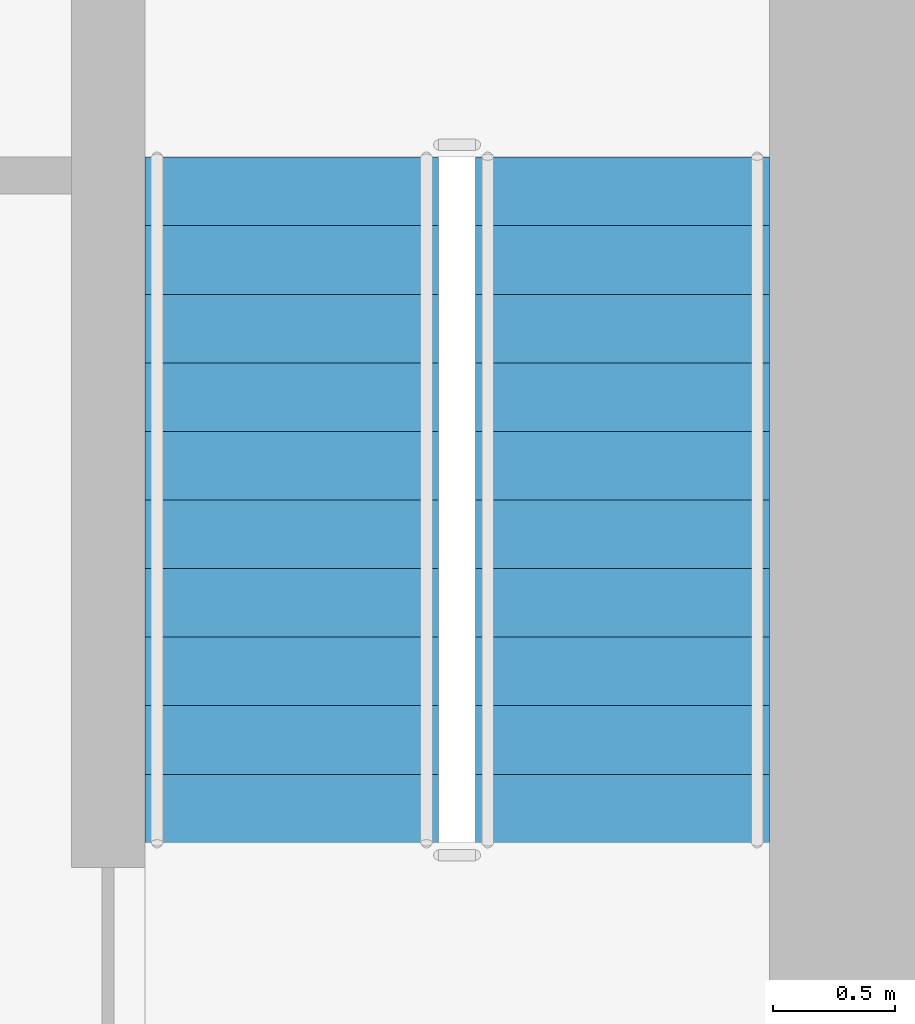
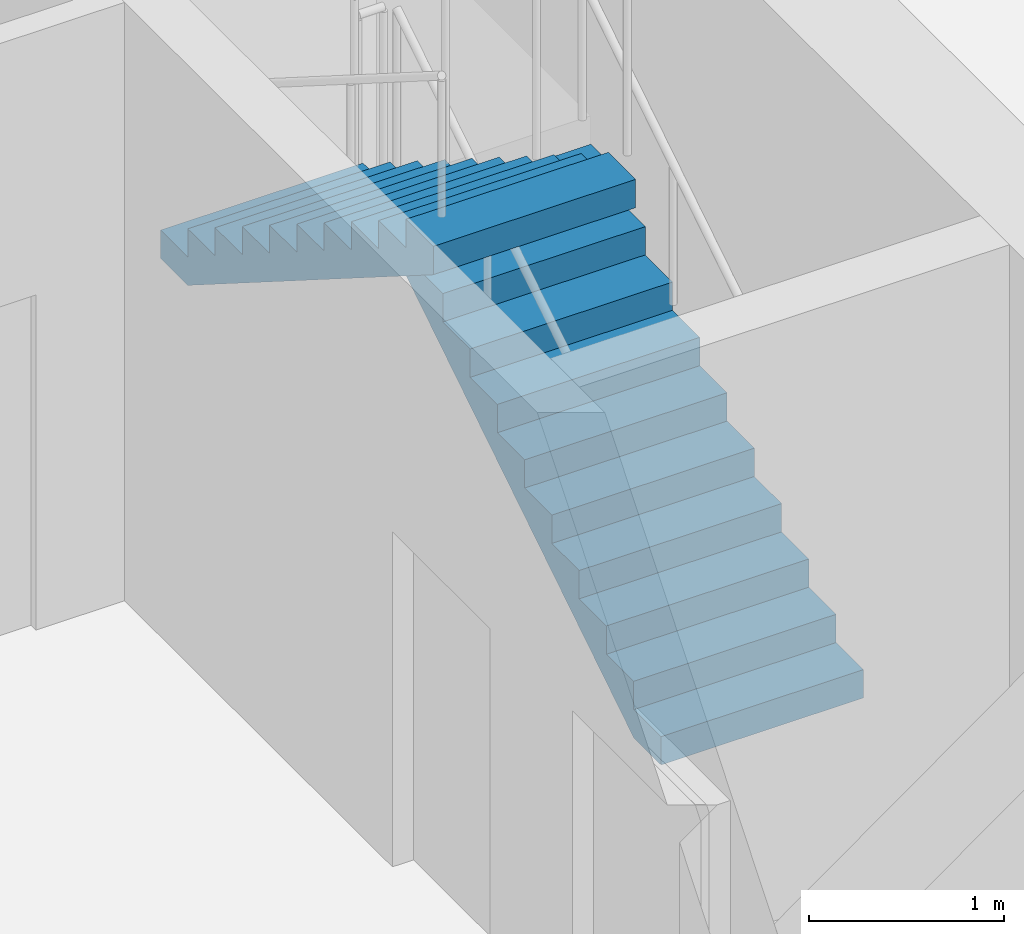
# One storey, part 8 of 11: 2 stair flights, 1 element without a shape of its own.
"""IFC4 building model written with IfcOpenShell, lengths in metres."""

import ifcopenshell
import ifcopenshell.guid

model = None  # the IFC model being written
_history = None  # IfcOwnerHistory: only IFC2X3 demands one
_inside = {}  # id of a spatial element -> (the spatial element, [elements in it])
_under = {}  # id of a project, library or spatial element -> (it, [spatial elements below it])
_declared = {}  # id of a project -> (the project, [libraries it declares])
_typed = {}  # id of a type object -> (the type object, [elements of that type])
_made_of = {}  # id of a material, layer set ... -> (it, [elements and type objects made of it])


def new_model(schema):
    """Start an empty IFC model of exactly this schema.

    Asked for "IFC4X3", IfcOpenShell would pick the latest addendum, in which some entities
    have other attributes; the version numbers below select the first issue.
    IFC2X3 requires an IfcOwnerHistory on every rooted entity: one is made here for all.
    """
    global model, _history
    if schema == "IFC4X3":
        model = ifcopenshell.file(schema_version=(4, 3, 0, 0))
    else:
        model = ifcopenshell.file(schema=schema)
    _inside.clear()
    _under.clear()
    _declared.clear()
    _typed.clear()
    _made_of.clear()
    _history = None
    if model.schema == "IFC2X3":
        org = make("IfcOrganization", Name="unknown")
        user = make(
            "IfcPersonAndOrganization",
            ThePerson=make("IfcPerson", FamilyName="unknown"),
            TheOrganization=org,
        )
        app = make(
            "IfcApplication",
            ApplicationDeveloper=org,
            Version="unknown",
            ApplicationFullName="unknown",
            ApplicationIdentifier="unknown",
        )
        _history = make(
            "IfcOwnerHistory",
            OwningUser=user,
            OwningApplication=app,
            ChangeAction="ADDED",
            CreationDate=0,
        )
    return model


def make(cls, **values):
    """One entity of the class cls with the attributes given. An attribute that is None is left unset."""
    return model.create_entity(
        cls, **{name: value for name, value in values.items() if value is not None}
    )


def rooted(cls, **values):
    """An entity with a GlobalId (a new one), such as an element, a storey or a relation."""
    return make(cls, GlobalId=ifcopenshell.guid.new(), OwnerHistory=_history, **values)


def si_unit(unit_type, name, prefix=None):
    """IfcSIUnit, for example si_unit("LENGTHUNIT", "METRE", prefix="MILLI")."""
    return make("IfcSIUnit", UnitType=unit_type, Prefix=prefix, Name=name)


def assignment(units):
    """IfcUnitAssignment: the units of a project."""
    return None if units is None else make("IfcUnitAssignment", Units=units)


def point(xyz):
    """IfcCartesianPoint."""
    return None if xyz is None else make("IfcCartesianPoint", Coordinates=xyz)


def direction(xyz):
    """IfcDirection."""
    return None if xyz is None else make("IfcDirection", DirectionRatios=xyz)


def frame(location, z_axis=None, x_axis=None):
    """IfcAxis2Placement3D, a coordinate frame: its origin and axes. An axis left out is left unset."""
    return make(
        "IfcAxis2Placement3D",
        Location=point(location),
        Axis=direction(z_axis),
        RefDirection=direction(x_axis),
    )


def origin():
    """The frame at (0, 0, 0) with its axes left unset."""
    return frame((0.0, 0.0, 0.0))


def place(relative_to, where):
    """IfcLocalPlacement: puts the frame where relative to a parent placement (None: the world)."""
    return make(
        "IfcLocalPlacement", PlacementRelTo=relative_to, RelativePlacement=where
    )


def context(
    kind, dimensions, precision=None, world=None, true_north=None, identifier=None
):
    """IfcGeometricRepresentationContext, for example the 3D "Model" context."""
    return make(
        "IfcGeometricRepresentationContext",
        ContextIdentifier=identifier,
        ContextType=kind,
        CoordinateSpaceDimension=dimensions,
        Precision=precision,
        WorldCoordinateSystem=world,
        TrueNorth=true_north,
    )


def subcontext(parent, identifier, kind, view, scale=None):
    """IfcGeometricRepresentationSubContext, for example "Body" below "Model"."""
    return make(
        "IfcGeometricRepresentationSubContext",
        ContextIdentifier=identifier,
        ContextType=kind,
        ParentContext=parent,
        TargetScale=scale,
        TargetView=view,
    )


def project(units=None, contexts=None):
    """IfcProject with its units and contexts."""
    return rooted(
        "IfcProject",
        Name="project",
        RepresentationContexts=contexts,
        UnitsInContext=assignment(units),
    )


def spatial(cls, under=None, at=None, **own):
    """A site, building, storey or space (cls), placed at a placement, below another one or the project."""
    s = rooted(cls, ObjectPlacement=at, **own)
    if under is not None:
        _under.setdefault(under.id(), (under, []))[1].append(s)
    return s


def polyline(points):
    """IfcPolyline through the points."""
    return make("IfcPolyline", Points=[point(p) for p in points])


def outline(outer, holes=None, kind="AREA"):
    """IfcArbitraryClosedProfileDef: a profile drawn as a closed curve; with holes, ...WithVoids."""
    if holes is None:
        return make("IfcArbitraryClosedProfileDef", ProfileType=kind, OuterCurve=outer)
    return make(
        "IfcArbitraryProfileDefWithVoids",
        ProfileType=kind,
        OuterCurve=outer,
        InnerCurves=holes,
    )


def extrude(swept, where, along, depth):
    """IfcExtrudedAreaSolid: the profile swept, set in the frame where, extruded along a direction by depth."""
    return make(
        "IfcExtrudedAreaSolid",
        SweptArea=swept,
        Position=where,
        ExtrudedDirection=direction(along),
        Depth=depth,
    )


def shape(context_of_items, identifier, shape_type, items):
    """IfcShapeRepresentation: the items that make up one representation, for example the "Body"."""
    return make(
        "IfcShapeRepresentation",
        ContextOfItems=context_of_items,
        RepresentationIdentifier=identifier,
        RepresentationType=shape_type,
        Items=items,
    )


def material(Name=None, Category=None):
    """IfcMaterial."""
    return make("IfcMaterial", Name=Name, Category=Category)


def made_of(thing, what):
    """Note that an element or type object is made of a material, layer set ...; save() writes the relation."""
    if what is not None:
        _made_of.setdefault(what.id(), (what, []))[1].append(thing)
    return thing


def type_object(cls, material=None, **own):
    """A type object (cls), such as IfcWallType, which elements share."""
    return made_of(rooted(cls, **own), material)


def element(
    cls,
    number,
    at=None,
    inside=None,
    cuts=None,
    type_object=None,
    material=None,
    context=None,
    identifier="Body",
    shape_type=None,
    held_by="IfcProductDefinitionShape",
    body=None,
    shapes=None,
    **own,
):
    """One element of the class cls, such as IfcWall. Its Tag is "e" and its number.

    at: its placement. inside: the storey or other place that contains it. cuts: it is an
    opening in that element (IfcRelVoidsElement). A single representation is given by context,
    identifier, shape_type and body (its items); several are given by shapes. held_by: the class
    of the entity that holds the representations. save() writes the other relations.
    """
    e = rooted(cls, Tag="e%d" % number, ObjectPlacement=at, **own)
    if body is not None:
        shapes = [shape(context, identifier, shape_type, body)]
    if shapes is not None:
        e.Representation = make(held_by, Representations=shapes)
    if inside is not None:
        _inside.setdefault(inside.id(), (inside, []))[1].append(e)
    if cuts is not None:
        rooted(
            "IfcRelVoidsElement", RelatingBuildingElement=cuts, RelatedOpeningElement=e
        )
    if type_object is not None:
        _typed.setdefault(type_object.id(), (type_object, []))[1].append(e)
    return made_of(e, material)


def aggregate(whole, parts):
    """IfcRelAggregates: a whole, such as a stair, and the parts it consists of."""
    return rooted("IfcRelAggregates", RelatingObject=whole, RelatedObjects=parts)


def save(model, path):
    """Write the relations noted so far, then the file.

    IfcRelAggregates (storeys below a building ...), IfcRelContainedInSpatialStructure (elements
    in a storey), IfcRelDefinesByType, IfcRelAssociatesMaterial and IfcRelDeclares: one each for
    every whole, place, type object, material and project.
    """
    for whole, parts in _under.values():
        aggregate(whole, parts)
    for where, things in _inside.values():
        rooted(
            "IfcRelContainedInSpatialStructure",
            RelatedElements=things,
            RelatingStructure=where,
        )
    for kind, things in _typed.values():
        rooted("IfcRelDefinesByType", RelatedObjects=things, RelatingType=kind)
    for what, things in _made_of.values():
        rooted("IfcRelAssociatesMaterial", RelatedObjects=things, RelatingMaterial=what)
    for by, libraries in _declared.values():
        rooted("IfcRelDeclares", RelatingContext=by, RelatedDefinitions=libraries)
    model.write(path)


model = new_model("IFC4")

# Units and contexts
model_context = context("Model", 3, precision=1e-05, world=origin(), true_north=direction((0.0, 1.0)))
body_context = subcontext(model_context, "Body", "Model", "MODEL_VIEW")
ifc_project = project(units=[si_unit("LENGTHUNIT", "METRE"), si_unit("AREAUNIT", "SQUARE_METRE"), si_unit("VOLUMEUNIT", "CUBIC_METRE"), si_unit("PLANEANGLEUNIT", "RADIAN"), si_unit("MASSUNIT", "GRAM", prefix="KILO")], contexts=[model_context])

# Site, building, storey
site_placement = place(None, origin())
site = spatial("IfcSite", under=ifc_project, at=site_placement, CompositionType="ELEMENT")
building_placement = place(site_placement, origin())
building = spatial("IfcBuilding", under=site, at=building_placement, Name="Aloe Facet Convention Tower", CompositionType="ELEMENT")
storey_placement = place(building_placement, frame((0.0, 0.0, 167.60009765625)))
storey = spatial("IfcBuildingStorey", under=building, at=storey_placement, Name="L42", CompositionType="ELEMENT", Elevation=167.60009765625)

# Stair, stair flights
ifc_material_1 = material(Name="Concrete C50/60", Category="concrete")
stair_type = type_object("IfcStairType", Name="CR-ST-22R", PredefinedType="HALF_TURN_STAIR", material=ifc_material_1)
stair_placement = place(storey_placement, origin())
stair = element("IfcStair", 1, at=stair_placement, inside=storey, type_object=stair_type, Name="L42 Protected exit stair ST2", PredefinedType="HALF_TURN_STAIR")
ifc_material_2 = material(Name="Concrete C50/60", Category="concrete")
stair_flight_type = type_object("IfcStairFlightType", Name="CR-SFL-22R", PredefinedType="STRAIGHT", material=ifc_material_2)
stair_flight_1_placement = place(storey_placement, frame((89.800048828125, 128.949951171875, 0.0), z_axis=(0.0, 0.0, 1.0), x_axis=(0.0, 1.0, 0.0)))
stair_flight_1 = element("IfcStairFlight", 2, at=stair_flight_1_placement, type_object=stair_flight_type, Name="ST2 flight 1", NumberOfRisers=11, NumberOfTreads=10, PredefinedType="STRAIGHT", RiserHeight=0.177272727, TreadLength=0.28, context=body_context, shape_type="SweptSolid", body=[
    extrude(outline(polyline([(0.0, 0.0), (0.0, 0.17724609375), (0.280029296875, 0.17724609375), (0.280029296875, 0.3544921875), (0.56005859375, 0.3544921875), (0.56005859375, 0.53173828125), (0.840087890625, 0.53173828125), (0.840087890625, 0.708984375), (1.1201171875, 0.708984375), (1.1201171875, 0.886474609375), (1.39990234375, 0.886474609375), (1.39990234375, 1.063720703125), (1.679931640625, 1.063720703125), (1.679931640625, 1.240966796875), (1.9599609375, 1.240966796875), (1.9599609375, 1.418212890625), (2.239990234375, 1.418212890625), (2.239990234375, 1.595458984375), (2.52001953125, 1.595458984375), (2.52001953125, 1.772705078125), (2.800048828125, 1.772705078125), (2.800048828125, 1.949951171875), (2.800048828125, 1.59521484375), (0.2802734375, 0.0), (0.0, 0.0)])), frame((0.0, 0.60009765625, 0.0), z_axis=(0.0, -1.0, 0.0), x_axis=(1.0, 0.0, 0.0)), (0.0, 0.0, 1.0), 1.199951171875),
])
stair_flight_2_placement = place(storey_placement, frame((88.449951171875, 131.75, 1.949951171875), z_axis=(0.0, 0.0, 1.0), x_axis=(0.0, -1.0, 0.0)))
stair_flight_2 = element("IfcStairFlight", 3, at=stair_flight_2_placement, type_object=stair_flight_type, Name="ST2 flight 2", NumberOfRisers=11, NumberOfTreads=10, PredefinedType="STRAIGHT", RiserHeight=0.177272727, TreadLength=0.28, context=body_context, shape_type="SweptSolid", body=[
    extrude(outline(polyline([(0.0, 0.0), (0.0, 0.17724609375), (0.280029296875, 0.17724609375), (0.280029296875, 0.3544921875), (0.56005859375, 0.3544921875), (0.56005859375, 0.53173828125), (0.840087890625, 0.53173828125), (0.840087890625, 0.708984375), (1.1201171875, 0.708984375), (1.1201171875, 0.886474609375), (1.39990234375, 0.886474609375), (1.39990234375, 1.063720703125), (1.679931640625, 1.063720703125), (1.679931640625, 1.240966796875), (1.9599609375, 1.240966796875), (1.9599609375, 1.418212890625), (2.239990234375, 1.418212890625), (2.239990234375, 1.595458984375), (2.52001953125, 1.595458984375), (2.52001953125, 1.772705078125), (2.800048828125, 1.772705078125), (2.800048828125, 1.949951171875), (2.800048828125, 1.59521484375), (0.2802734375, 0.0), (0.0, 0.0)])), frame((0.0, 0.60009765625, 0.0), z_axis=(0.0, -1.0, 0.0), x_axis=(1.0, 0.0, 0.0)), (0.0, 0.0, 1.0), 1.199951171875),
])
aggregate(stair, [stair_flight_1, stair_flight_2])

save(model, "model.ifc")
